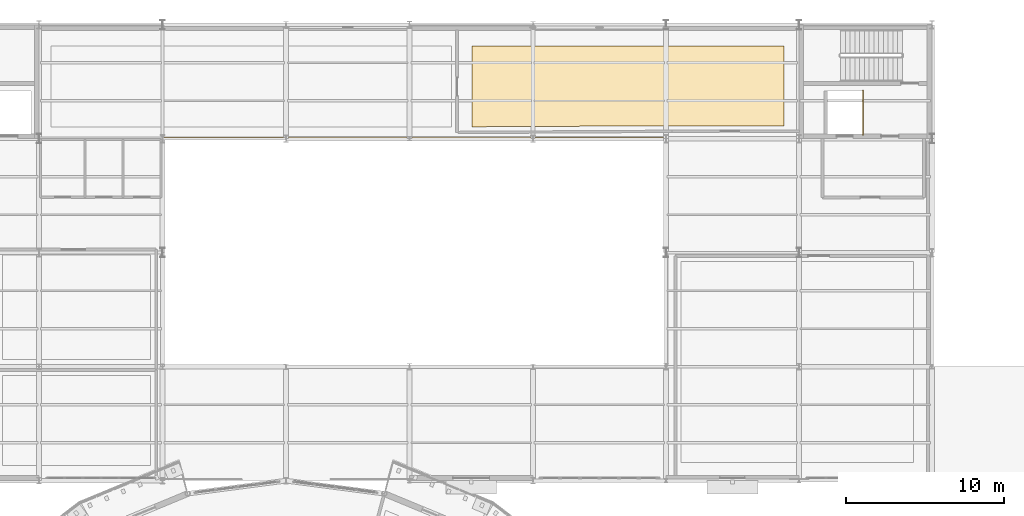
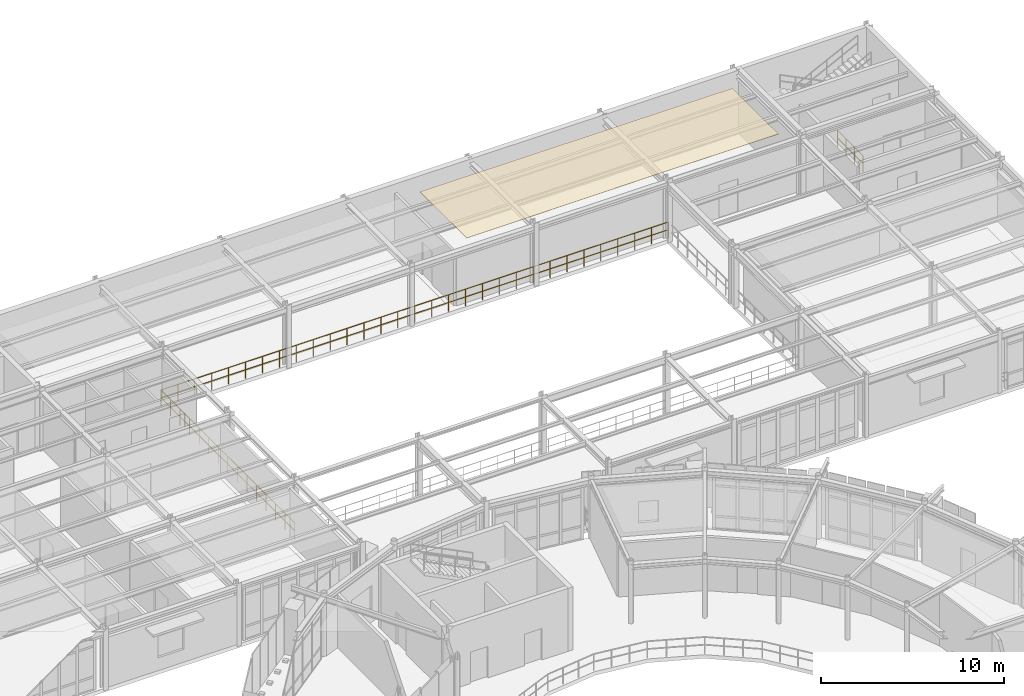
# One storey, part 89 of 90: 2 railings, 1 covering.
"""IFC4 building model written with IfcOpenShell, lengths in metres."""

import ifcopenshell
import ifcopenshell.guid

model = None  # the IFC model being written
_history = None  # IfcOwnerHistory: only IFC2X3 demands one
_inside = {}  # id of a spatial element -> (the spatial element, [elements in it])
_under = {}  # id of a project, library or spatial element -> (it, [spatial elements below it])
_declared = {}  # id of a project -> (the project, [libraries it declares])
_typed = {}  # id of a type object -> (the type object, [elements of that type])
_made_of = {}  # id of a material, layer set ... -> (it, [elements and type objects made of it])


def new_model(schema):
    """Start an empty IFC model of exactly this schema.

    Asked for "IFC4X3", IfcOpenShell would pick the latest addendum, in which some entities
    have other attributes; the version numbers below select the first issue.
    IFC2X3 requires an IfcOwnerHistory on every rooted entity: one is made here for all.
    """
    global model, _history
    if schema == "IFC4X3":
        model = ifcopenshell.file(schema_version=(4, 3, 0, 0))
    else:
        model = ifcopenshell.file(schema=schema)
    _inside.clear()
    _under.clear()
    _declared.clear()
    _typed.clear()
    _made_of.clear()
    _history = None
    if model.schema == "IFC2X3":
        org = make("IfcOrganization", Name="unknown")
        user = make(
            "IfcPersonAndOrganization",
            ThePerson=make("IfcPerson", FamilyName="unknown"),
            TheOrganization=org,
        )
        app = make(
            "IfcApplication",
            ApplicationDeveloper=org,
            Version="unknown",
            ApplicationFullName="unknown",
            ApplicationIdentifier="unknown",
        )
        _history = make(
            "IfcOwnerHistory",
            OwningUser=user,
            OwningApplication=app,
            ChangeAction="ADDED",
            CreationDate=0,
        )
    return model


def make(cls, **values):
    """One entity of the class cls with the attributes given. An attribute that is None is left unset."""
    return model.create_entity(
        cls, **{name: value for name, value in values.items() if value is not None}
    )


def rooted(cls, **values):
    """An entity with a GlobalId (a new one), such as an element, a storey or a relation."""
    return make(cls, GlobalId=ifcopenshell.guid.new(), OwnerHistory=_history, **values)


def si_unit(unit_type, name, prefix=None):
    """IfcSIUnit, for example si_unit("LENGTHUNIT", "METRE", prefix="MILLI")."""
    return make("IfcSIUnit", UnitType=unit_type, Prefix=prefix, Name=name)


def derived_unit(unit_type, elements):
    """IfcDerivedUnit: a product of units, each with its exponent."""
    return make(
        "IfcDerivedUnit",
        Elements=[
            make("IfcDerivedUnitElement", Unit=unit, Exponent=power)
            for unit, power in elements
        ],
        UnitType=unit_type,
    )


def assignment(units):
    """IfcUnitAssignment: the units of a project."""
    return None if units is None else make("IfcUnitAssignment", Units=units)


def point(xyz):
    """IfcCartesianPoint."""
    return None if xyz is None else make("IfcCartesianPoint", Coordinates=xyz)


def direction(xyz):
    """IfcDirection."""
    return None if xyz is None else make("IfcDirection", DirectionRatios=xyz)


def frame(location, z_axis=None, x_axis=None):
    """IfcAxis2Placement3D, a coordinate frame: its origin and axes. An axis left out is left unset."""
    return make(
        "IfcAxis2Placement3D",
        Location=point(location),
        Axis=direction(z_axis),
        RefDirection=direction(x_axis),
    )


def frame_2d(location, x_axis=None):
    """IfcAxis2Placement2D, a coordinate frame in the plane: its origin and x axis."""
    return make(
        "IfcAxis2Placement2D", Location=point(location), RefDirection=direction(x_axis)
    )


def origin():
    """The frame at (0, 0, 0) with its axes left unset."""
    return frame((0.0, 0.0, 0.0))


def origin_2d():
    """The frame at (0, 0) in the plane with its x axis left unset."""
    return frame_2d((0.0, 0.0))


def place(relative_to, where):
    """IfcLocalPlacement: puts the frame where relative to a parent placement (None: the world)."""
    return make(
        "IfcLocalPlacement", PlacementRelTo=relative_to, RelativePlacement=where
    )


def context(
    kind, dimensions, precision=None, world=None, true_north=None, identifier=None
):
    """IfcGeometricRepresentationContext, for example the 3D "Model" context."""
    return make(
        "IfcGeometricRepresentationContext",
        ContextIdentifier=identifier,
        ContextType=kind,
        CoordinateSpaceDimension=dimensions,
        Precision=precision,
        WorldCoordinateSystem=world,
        TrueNorth=true_north,
    )


def subcontext(parent, identifier, kind, view, scale=None):
    """IfcGeometricRepresentationSubContext, for example "Body" below "Model"."""
    return make(
        "IfcGeometricRepresentationSubContext",
        ContextIdentifier=identifier,
        ContextType=kind,
        ParentContext=parent,
        TargetScale=scale,
        TargetView=view,
    )


def project(units=None, contexts=None):
    """IfcProject with its units and contexts."""
    return rooted(
        "IfcProject",
        Name="project",
        RepresentationContexts=contexts,
        UnitsInContext=assignment(units),
    )


def spatial(cls, under=None, at=None, **own):
    """A site, building, storey or space (cls), placed at a placement, below another one or the project."""
    s = rooted(cls, ObjectPlacement=at, **own)
    if under is not None:
        _under.setdefault(under.id(), (under, []))[1].append(s)
    return s


def polyline(points):
    """IfcPolyline through the points."""
    return make("IfcPolyline", Points=[point(p) for p in points])


def profile(cls, at=None, kind="AREA", **sizes):
    """A parametric profile (cls). Its sizes go by their IFC names, for example OverallWidth=200.0."""
    return make(cls, ProfileType=kind, Position=at, **sizes)


def circle(**sizes):
    """IfcCircleProfileDef."""
    return profile("IfcCircleProfileDef", **sizes)


def outline(outer, holes=None, kind="AREA"):
    """IfcArbitraryClosedProfileDef: a profile drawn as a closed curve; with holes, ...WithVoids."""
    if holes is None:
        return make("IfcArbitraryClosedProfileDef", ProfileType=kind, OuterCurve=outer)
    return make(
        "IfcArbitraryProfileDefWithVoids",
        ProfileType=kind,
        OuterCurve=outer,
        InnerCurves=holes,
    )


def extrude(swept, where, along, depth):
    """IfcExtrudedAreaSolid: the profile swept, set in the frame where, extruded along a direction by depth."""
    return make(
        "IfcExtrudedAreaSolid",
        SweptArea=swept,
        Position=where,
        ExtrudedDirection=direction(along),
        Depth=depth,
    )


def shape(context_of_items, identifier, shape_type, items):
    """IfcShapeRepresentation: the items that make up one representation, for example the "Body"."""
    return make(
        "IfcShapeRepresentation",
        ContextOfItems=context_of_items,
        RepresentationIdentifier=identifier,
        RepresentationType=shape_type,
        Items=items,
    )


def material(Name=None, Category=None):
    """IfcMaterial."""
    return make("IfcMaterial", Name=Name, Category=Category)


def layer(
    of_material, thickness, ventilated=None, Name=None, Category=None, Priority=None
):
    """IfcMaterialLayer: one layer of a wall or slab, of a material (None: an air gap)."""
    return make(
        "IfcMaterialLayer",
        Material=of_material,
        LayerThickness=thickness,
        IsVentilated=ventilated,
        Name=Name,
        Category=Category,
        Priority=Priority,
    )


def layer_set(layers, Name=None):
    """IfcMaterialLayerSet."""
    return make("IfcMaterialLayerSet", MaterialLayers=layers, LayerSetName=Name)


def made_of(thing, what):
    """Note that an element or type object is made of a material, layer set ...; save() writes the relation."""
    if what is not None:
        _made_of.setdefault(what.id(), (what, []))[1].append(thing)
    return thing


def type_object(cls, material=None, **own):
    """A type object (cls), such as IfcWallType, which elements share."""
    return made_of(rooted(cls, **own), material)


def element(
    cls,
    number,
    at=None,
    inside=None,
    cuts=None,
    type_object=None,
    material=None,
    context=None,
    identifier="Body",
    shape_type=None,
    held_by="IfcProductDefinitionShape",
    body=None,
    shapes=None,
    **own,
):
    """One element of the class cls, such as IfcWall. Its Tag is "e" and its number.

    at: its placement. inside: the storey or other place that contains it. cuts: it is an
    opening in that element (IfcRelVoidsElement). A single representation is given by context,
    identifier, shape_type and body (its items); several are given by shapes. held_by: the class
    of the entity that holds the representations. save() writes the other relations.
    """
    e = rooted(cls, Tag="e%d" % number, ObjectPlacement=at, **own)
    if body is not None:
        shapes = [shape(context, identifier, shape_type, body)]
    if shapes is not None:
        e.Representation = make(held_by, Representations=shapes)
    if inside is not None:
        _inside.setdefault(inside.id(), (inside, []))[1].append(e)
    if cuts is not None:
        rooted(
            "IfcRelVoidsElement", RelatingBuildingElement=cuts, RelatedOpeningElement=e
        )
    if type_object is not None:
        _typed.setdefault(type_object.id(), (type_object, []))[1].append(e)
    return made_of(e, material)


def aggregate(whole, parts):
    """IfcRelAggregates: a whole, such as a stair, and the parts it consists of."""
    return rooted("IfcRelAggregates", RelatingObject=whole, RelatedObjects=parts)


def save(model, path):
    """Write the relations noted so far, then the file.

    IfcRelAggregates (storeys below a building ...), IfcRelContainedInSpatialStructure (elements
    in a storey), IfcRelDefinesByType, IfcRelAssociatesMaterial and IfcRelDeclares: one each for
    every whole, place, type object, material and project.
    """
    for whole, parts in _under.values():
        aggregate(whole, parts)
    for where, things in _inside.values():
        rooted(
            "IfcRelContainedInSpatialStructure",
            RelatedElements=things,
            RelatingStructure=where,
        )
    for kind, things in _typed.values():
        rooted("IfcRelDefinesByType", RelatedObjects=things, RelatingType=kind)
    for what, things in _made_of.values():
        rooted("IfcRelAssociatesMaterial", RelatedObjects=things, RelatingMaterial=what)
    for by, libraries in _declared.values():
        rooted("IfcRelDeclares", RelatingContext=by, RelatedDefinitions=libraries)
    model.write(path)


model = new_model("IFC4")

# Units and contexts
model_context = context("Model", 3, precision=1e-05, world=origin(), true_north=direction((0.0, 1.0)))
body_context = subcontext(model_context, "Body", "Model", "MODEL_VIEW")
ifc_project = project(units=[si_unit("LENGTHUNIT", "METRE"), si_unit("AREAUNIT", "SQUARE_METRE"), si_unit("VOLUMEUNIT", "CUBIC_METRE"), si_unit("PLANEANGLEUNIT", "RADIAN"), si_unit("MASSUNIT", "GRAM", prefix="KILO"), derived_unit("THERMALTRANSMITTANCEUNIT", [(si_unit("POWERUNIT", "WATT"), 1), (si_unit("AREAUNIT", "SQUARE_METRE"), -1), (si_unit("THERMODYNAMICTEMPERATUREUNIT", "KELVIN"), -1)])], contexts=[model_context])

# Site, building, storey
site_placement = place(None, origin())
site = spatial("IfcSite", under=ifc_project, at=site_placement, CompositionType="ELEMENT")
building_placement = place(site_placement, origin())
building = spatial("IfcBuilding", under=site, at=building_placement, Name="Yasenodar Specialist Clinic", CompositionType="ELEMENT")
storey_placement = place(building_placement, frame((0.0, 0.0, 9.0)))
storey = spatial("IfcBuildingStorey", under=building, at=storey_placement, Name="L02", CompositionType="ELEMENT", Elevation=9.0)

# Covering
ifc_material_1 = material(Name="Hygienic Acoustic Mineral-Fibre Ceiling")
ifc_layer = layer(ifc_material_1, 0.02490234375)
ifc_layer_set = layer_set([ifc_layer], Name="Hygienic Acoustic Mineral-Fibre Ceiling")
covering_type = type_object("IfcCoveringType", Name="COV-CEIL-AC", PredefinedType="CEILING", material=ifc_layer_set)
covering_placement = place(storey_placement, frame((0.0, 0.0, 3.925048828125)))
element("IfcCovering", 1, at=covering_placement, inside=storey, type_object=covering_type, Name="L02 Clinical Trial Investigational Pharmacy Acoustic Ceiling", PredefinedType="CEILING", context=body_context, shape_type="SweptSolid", body=[
    extrude(outline(polyline([(112.449951171875, 110.25), (112.449951171875, 105.219970703125), (105.3798828125, 105.219970703125), (105.3779296875, 105.219970703125), (92.75, 105.152099609375), (92.75, 110.25), (112.449951171875, 110.25)])), origin(), (0.0, 0.0, 1.0), 0.02490234375),
])

# Railings
ifc_material_2 = material(Name="Steel S355 Painted Guardrail", Category="steel")
railing_type = type_object("IfcRailingType", Name="RL-GRD-1120", PredefinedType="GUARDRAIL", material=ifc_material_2)
railing_1_placement = place(storey_placement, frame((105.10009765625, 104.5, 0.0)))
element("IfcRailing", 2, at=railing_1_placement, inside=storey, type_object=railing_type, Name="L02 V5 Lightwell North-West Guardrail", PredefinedType="GUARDRAIL", context=body_context, shape_type="SweptSolid", body=[
    extrude(circle(Radius=0.02392578125, at=origin_2d()), frame((0.0, 0.0, 1.09619140625), z_axis=(-1.0, 0.0, 0.0), x_axis=(0.0, -1.0, 0.0)), (0.0, 0.0, 1.0), 32.0),
    extrude(circle(Radius=0.02392578125, at=origin_2d()), frame((0.0, 0.0, 0.58251953125), z_axis=(-1.0, 0.0, 0.0), x_axis=(0.0, -1.0, 0.0)), (0.0, 0.0, 1.0), 32.0),
    extrude(circle(Radius=0.02392578125, at=origin_2d()), frame((-32.0, 0.0, 1.09619140625), z_axis=(0.0, -1.0, 0.0), x_axis=(1.0, 0.0, 0.0)), (0.0, 0.0, 1.0), 14.60009765625),
    extrude(circle(Radius=0.02392578125, at=origin_2d()), frame((-32.0, 0.0, 0.58251953125), z_axis=(0.0, -1.0, 0.0), x_axis=(1.0, 0.0, 0.0)), (0.0, 0.0, 1.0), 14.60009765625),
    extrude(circle(Radius=0.02099609375, at=origin_2d()), origin(), (0.0, 0.0, 1.0), 1.072021484375),
    extrude(circle(Radius=0.02099609375, at=origin_2d()), frame((-1.066650390625, 0.0, 0.0)), (0.0, 0.0, 1.0), 1.072021484375),
    extrude(circle(Radius=0.02099609375, at=origin_2d()), frame((-2.13330078125, 0.0, 0.0)), (0.0, 0.0, 1.0), 1.072021484375),
    extrude(circle(Radius=0.02099609375, at=origin_2d()), frame((-3.199951171875, 0.0, 0.0)), (0.0, 0.0, 1.0), 1.072021484375),
    extrude(circle(Radius=0.02099609375, at=origin_2d()), frame((-4.2666015625, 0.0, 0.0)), (0.0, 0.0, 1.0), 1.072021484375),
    extrude(circle(Radius=0.02099609375, at=origin_2d()), frame((-5.333251953125, 0.0, 0.0)), (0.0, 0.0, 1.0), 1.072021484375),
    extrude(circle(Radius=0.02099609375, at=origin_2d()), frame((-6.39990234375, 0.0, 0.0)), (0.0, 0.0, 1.0), 1.072021484375),
    extrude(circle(Radius=0.02099609375, at=origin_2d()), frame((-7.466552734375, 0.0, 0.0)), (0.0, 0.0, 1.0), 1.072021484375),
    extrude(circle(Radius=0.02099609375, at=origin_2d()), frame((-8.533447265625, 0.0, 0.0)), (0.0, 0.0, 1.0), 1.072021484375),
    extrude(circle(Radius=0.02099609375, at=origin_2d()), frame((-9.60009765625, 0.0, 0.0)), (0.0, 0.0, 1.0), 1.072021484375),
    extrude(circle(Radius=0.02099609375, at=origin_2d()), frame((-10.666748046875, 0.0, 0.0)), (0.0, 0.0, 1.0), 1.072021484375),
    extrude(circle(Radius=0.02099609375, at=origin_2d()), frame((-11.7333984375, 0.0, 0.0)), (0.0, 0.0, 1.0), 1.072021484375),
    extrude(circle(Radius=0.02099609375, at=origin_2d()), frame((-12.800048828125, 0.0, 0.0)), (0.0, 0.0, 1.0), 1.072021484375),
    extrude(circle(Radius=0.02099609375, at=origin_2d()), frame((-13.86669921875, 0.0, 0.0)), (0.0, 0.0, 1.0), 1.072021484375),
    extrude(circle(Radius=0.02099609375, at=origin_2d()), frame((-14.933349609375, 0.0, 0.0)), (0.0, 0.0, 1.0), 1.072021484375),
    extrude(circle(Radius=0.02099609375, at=origin_2d()), frame((-16.0, 0.0, 0.0)), (0.0, 0.0, 1.0), 1.072021484375),
    extrude(circle(Radius=0.02099609375, at=origin_2d()), frame((-17.066650390625, 0.0, 0.0)), (0.0, 0.0, 1.0), 1.072021484375),
    extrude(circle(Radius=0.02099609375, at=origin_2d()), frame((-18.13330078125, 0.0, 0.0)), (0.0, 0.0, 1.0), 1.072021484375),
    extrude(circle(Radius=0.02099609375, at=origin_2d()), frame((-19.199951171875, 0.0, 0.0)), (0.0, 0.0, 1.0), 1.072021484375),
    extrude(circle(Radius=0.02099609375, at=origin_2d()), frame((-20.2666015625, 0.0, 0.0)), (0.0, 0.0, 1.0), 1.072021484375),
    extrude(circle(Radius=0.02099609375, at=origin_2d()), frame((-21.333251953125, 0.0, 0.0)), (0.0, 0.0, 1.0), 1.072021484375),
    extrude(circle(Radius=0.02099609375, at=origin_2d()), frame((-22.39990234375, 0.0, 0.0)), (0.0, 0.0, 1.0), 1.072021484375),
    extrude(circle(Radius=0.02099609375, at=origin_2d()), frame((-23.466552734375, 0.0, 0.0)), (0.0, 0.0, 1.0), 1.072021484375),
    extrude(circle(Radius=0.02099609375, at=origin_2d()), frame((-24.533447265625, 0.0, 0.0)), (0.0, 0.0, 1.0), 1.072021484375),
    extrude(circle(Radius=0.02099609375, at=origin_2d()), frame((-25.60009765625, 0.0, 0.0)), (0.0, 0.0, 1.0), 1.072021484375),
    extrude(circle(Radius=0.02099609375, at=origin_2d()), frame((-26.666748046875, 0.0, 0.0)), (0.0, 0.0, 1.0), 1.072021484375),
    extrude(circle(Radius=0.02099609375, at=origin_2d()), frame((-27.7333984375, 0.0, 0.0)), (0.0, 0.0, 1.0), 1.072021484375),
    extrude(circle(Radius=0.02099609375, at=origin_2d()), frame((-28.800048828125, 0.0, 0.0)), (0.0, 0.0, 1.0), 1.072021484375),
    extrude(circle(Radius=0.02099609375, at=origin_2d()), frame((-29.86669921875, 0.0, 0.0)), (0.0, 0.0, 1.0), 1.072021484375),
    extrude(circle(Radius=0.02099609375, at=origin_2d()), frame((-30.933349609375, 0.0, 0.0)), (0.0, 0.0, 1.0), 1.072021484375),
    extrude(circle(Radius=0.02099609375, at=origin_2d()), frame((-32.0, 0.0, 0.0)), (0.0, 0.0, 1.0), 1.072021484375),
    extrude(circle(Radius=0.02099609375, at=origin_2d()), frame((-32.0, -1.04296875, 0.0)), (0.0, 0.0, 1.0), 1.072021484375),
    extrude(circle(Radius=0.02099609375, at=origin_2d()), frame((-32.0, -2.085693359375, 0.0)), (0.0, 0.0, 1.0), 1.072021484375),
    extrude(circle(Radius=0.02099609375, at=origin_2d()), frame((-32.0, -3.128662109375, 0.0)), (0.0, 0.0, 1.0), 1.072021484375),
    extrude(circle(Radius=0.02099609375, at=origin_2d()), frame((-32.0, -4.17138671875, 0.0)), (0.0, 0.0, 1.0), 1.072021484375),
    extrude(circle(Radius=0.02099609375, at=origin_2d()), frame((-32.0, -5.21435546875, 0.0)), (0.0, 0.0, 1.0), 1.072021484375),
    extrude(circle(Radius=0.02099609375, at=origin_2d()), frame((-32.0, -6.257080078125, 0.0)), (0.0, 0.0, 1.0), 1.072021484375),
    extrude(circle(Radius=0.02099609375, at=origin_2d()), frame((-32.0, -7.300048828125, 0.0)), (0.0, 0.0, 1.0), 1.072021484375),
    extrude(circle(Radius=0.02099609375, at=origin_2d()), frame((-32.0, -8.343017578125, 0.0)), (0.0, 0.0, 1.0), 1.072021484375),
    extrude(circle(Radius=0.02099609375, at=origin_2d()), frame((-32.0, -9.3857421875, 0.0)), (0.0, 0.0, 1.0), 1.072021484375),
    extrude(circle(Radius=0.02099609375, at=origin_2d()), frame((-32.0, -10.4287109375, 0.0)), (0.0, 0.0, 1.0), 1.072021484375),
    extrude(circle(Radius=0.02099609375, at=origin_2d()), frame((-32.0, -11.471435546875, 0.0)), (0.0, 0.0, 1.0), 1.072021484375),
    extrude(circle(Radius=0.02099609375, at=origin_2d()), frame((-32.0, -12.514404296875, 0.0)), (0.0, 0.0, 1.0), 1.072021484375),
    extrude(circle(Radius=0.02099609375, at=origin_2d()), frame((-32.0, -13.55712890625, 0.0)), (0.0, 0.0, 1.0), 1.072021484375),
    extrude(circle(Radius=0.02099609375, at=origin_2d()), frame((-32.0, -14.60009765625, 0.0)), (0.0, 0.0, 1.0), 1.072021484375),
])
railing_2_placement = place(storey_placement, frame((117.449951171875, 104.64990234375, 0.0)))
element("IfcRailing", 3, at=railing_2_placement, inside=storey, type_object=railing_type, Name="L02 Core C5 Lift LF-08 Shaft Guardrail", PredefinedType="GUARDRAIL", context=body_context, shape_type="SweptSolid", body=[
    extrude(circle(Radius=0.02392578125, at=origin_2d()), frame((0.0, 0.0, 1.09619140625), z_axis=(0.0, 1.0, 0.0), x_axis=(-1.0, 0.0, 0.0)), (0.0, 0.0, 1.0), 2.800048828125),
    extrude(circle(Radius=0.02392578125, at=origin_2d()), frame((0.0, 0.0, 0.58251953125), z_axis=(0.0, 1.0, 0.0), x_axis=(-1.0, 0.0, 0.0)), (0.0, 0.0, 1.0), 2.800048828125),
    extrude(circle(Radius=0.02099609375, at=origin_2d()), origin(), (0.0, 0.0, 1.0), 1.072021484375),
    extrude(circle(Radius=0.02099609375, at=origin_2d()), frame((0.0, 0.933349609375, 0.0)), (0.0, 0.0, 1.0), 1.072021484375),
    extrude(circle(Radius=0.02099609375, at=origin_2d()), frame((0.0, 1.86669921875, 0.0)), (0.0, 0.0, 1.0), 1.072021484375),
    extrude(circle(Radius=0.02099609375, at=origin_2d()), frame((0.0, 2.800048828125, 0.0)), (0.0, 0.0, 1.0), 1.072021484375),
])

save(model, "model.ifc")
